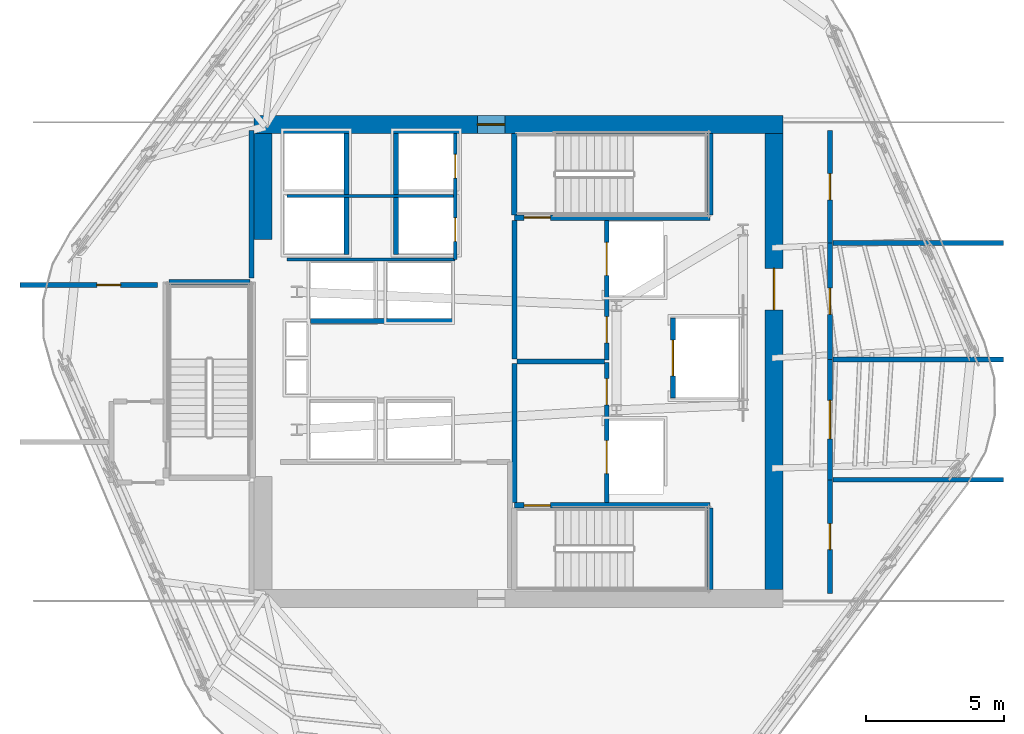
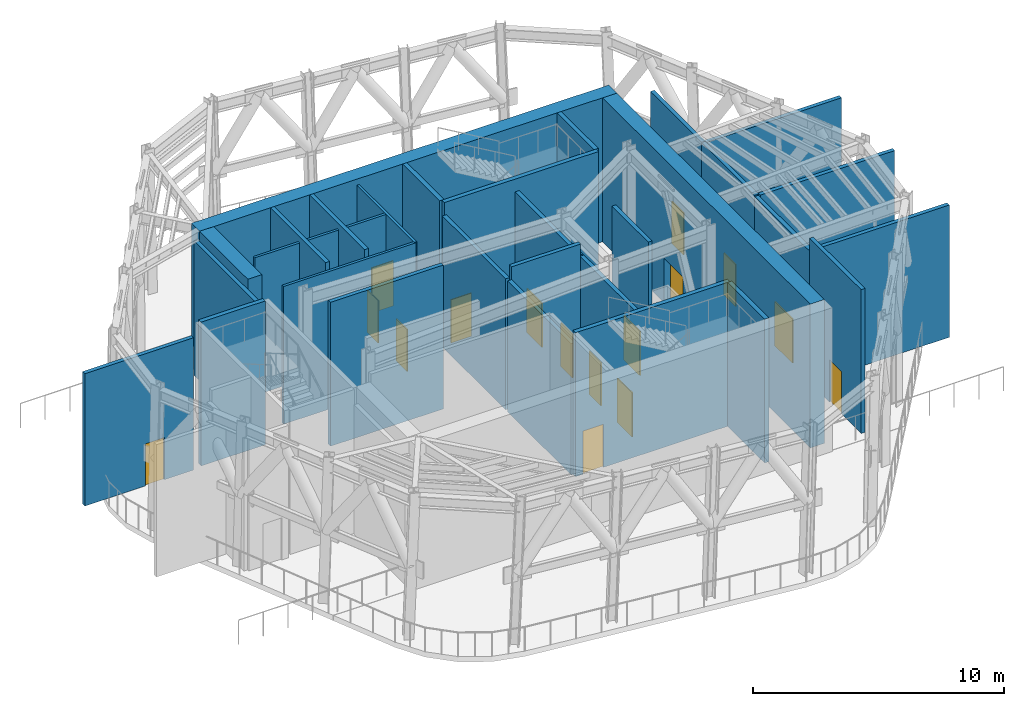
# One storey, part 5 of 10: 30 walls, 16 doors, 16 openings.
"""IFC4 building model written with IfcOpenShell, lengths in metres."""

from ifc_helpers import new_model, si_unit, direction, frame, frame_2d, origin, place, context, subcontext, project, spatial, rectangle, extrude, material, layer, layer_set, type_object, element, fill, save


model = new_model("IFC4")

# Units and contexts
model_context = context("Model", 3, precision=1e-05, world=origin(), true_north=direction((0.0, 1.0)))
body_context = subcontext(model_context, "Body", "Model", "MODEL_VIEW")
ifc_project = project(units=[si_unit("LENGTHUNIT", "METRE"), si_unit("AREAUNIT", "SQUARE_METRE"), si_unit("VOLUMEUNIT", "CUBIC_METRE"), si_unit("PLANEANGLEUNIT", "RADIAN"), si_unit("MASSUNIT", "GRAM", prefix="KILO")], contexts=[model_context])

# Site, building, storey
site_placement = place(None, origin())
site = spatial("IfcSite", under=ifc_project, at=site_placement, CompositionType="ELEMENT")
building_placement = place(site_placement, origin())
building = spatial("IfcBuilding", under=site, at=building_placement, Name="Valkerne Bourse Tower", CompositionType="ELEMENT")
storey_placement = place(building_placement, frame((0.0, 0.0, 251.199951171875)))
storey = spatial("IfcBuildingStorey", under=building, at=storey_placement, Name="L64", CompositionType="ELEMENT", Elevation=251.199951171875)

# Wall, opening, door
ifc_material_1 = material(Name="Concrete C55/67", Category="concrete")
ifc_layer_1 = layer(ifc_material_1, 0.64990234375)
ifc_layer_set_1 = layer_set([ifc_layer_1], Name="Concrete C55/67")
wall_type_1 = type_object("IfcWallType", Name="W-CORE-650", PredefinedType="SHEAR", material=ifc_layer_set_1)
wall_1_placement = place(storey_placement, frame((37.199951171875, 35.47509765625, 0.0), z_axis=(0.0, 0.0, 1.0), x_axis=(1.0, 0.0, 0.0)))
wall_1 = element("IfcWall", 1, at=wall_1_placement, inside=storey, type_object=wall_type_1, Name="L64 Core Shear Wall NORTH", PredefinedType="SHEAR", context=body_context, shape_type="SweptSolid", body=[
    extrude(rectangle(XDim=19.199951171875, YDim=0.64990234375, at=frame_2d((9.60009765625, 0.0))), origin(), (0.0, 0.0, 1.0), 7.0),
])
opening_1_placement = place(wall_1_placement, frame((8.10009765625, 0.0, 0.0)))
opening_1 = element("IfcOpeningElement", 2, at=opening_1_placement, cuts=wall_1, Name="Opening DT-1000", PredefinedType="OPENING", context=body_context, shape_type="SweptSolid", body=[
    extrude(rectangle(XDim=1.0, YDim=2.199951171875, at=frame_2d((0.5, 1.10009765625))), frame((0.0, 0.3349609375, 0.0), z_axis=(0.0, -1.0, 0.0), x_axis=(1.0, 0.0, 0.0)), (0.0, 0.0, 1.0), 0.669921875),
])
ifc_material_2 = material(Name="Glass IGU Low-E Double Glazed", Category="glass")
door_type_1 = type_object("IfcDoorType", Name="DR-EXT-TER-1000", OperationType="NOTDEFINED", PredefinedType="DOOR", material=ifc_material_2)
door_1_placement = place(opening_1_placement, origin())
door_1 = element("IfcDoor", 3, at=door_1_placement, inside=storey, type_object=door_type_1, Name="L64 Wind Portal Refuge Deck Door NORTH", OperationType="SINGLE_SWING_LEFT", OverallHeight=2.199951171875, OverallWidth=1.0, PredefinedType="DOOR", context=body_context, shape_type="SweptSolid", body=[
    extrude(rectangle(XDim=1.0, YDim=2.199951171875, at=frame_2d((0.5, 1.10009765625))), frame((0.0, 0.02490234375, 0.0), z_axis=(0.0, -1.0, 0.0), x_axis=(1.0, 0.0, 0.0)), (0.0, 0.0, 1.0), 0.050048828125),
])
fill(opening_1, door_1)

wall_2_placement = place(storey_placement, frame((56.074951171875, 18.60009765625, 0.0), z_axis=(0.0, 0.0, 1.0), x_axis=(0.0, 1.0, 0.0)))
wall_2 = element("IfcWall", 4, at=wall_2_placement, inside=storey, type_object=wall_type_1, Name="L64 Core Shear Wall EAST", PredefinedType="SHEAR", context=body_context, shape_type="SweptSolid", body=[
    extrude(rectangle(XDim=16.5498046875, YDim=0.64990234375, at=frame_2d((8.27490234375, 0.0))), origin(), (0.0, 0.0, 1.0), 7.0),
])
opening_2_placement = place(wall_2_placement, frame((10.14990234375, 0.0, 0.0)))
opening_2 = element("IfcOpeningElement", 5, at=opening_2_placement, cuts=wall_2, Name="Opening D-CR-1500", PredefinedType="OPENING", context=body_context, shape_type="SweptSolid", body=[
    extrude(rectangle(XDim=1.5, YDim=2.14990234375, at=frame_2d((0.75, 1.074951171875))), frame((0.0, 0.3349609375, 0.0), z_axis=(0.0, -1.0, 0.0), x_axis=(1.0, 0.0, 0.0)), (0.0, 0.0, 1.0), 0.669921875),
])
ifc_material_3 = material(Name="Galvanised Painted Steel", Category="steel")
door_type_2 = type_object("IfcDoorType", Name="DR-CORR-1500", OperationType="DOUBLE_DOOR_SINGLE_SWING", PredefinedType="DOOR", material=ifc_material_3)
door_2_placement = place(opening_2_placement, origin())
door_2 = element("IfcDoor", 6, at=door_2_placement, inside=storey, type_object=door_type_2, Name="L64 East Core Service Lobby Fire Door", OperationType="DOUBLE_DOOR_SINGLE_SWING", OverallHeight=2.14990234375, OverallWidth=1.5, PredefinedType="DOOR", context=body_context, shape_type="SweptSolid", body=[
    extrude(rectangle(XDim=1.5, YDim=2.14990234375, at=frame_2d((0.75, 1.074951171875))), frame((0.0, 0.02490234375, 0.0), z_axis=(0.0, -1.0, 0.0), x_axis=(1.0, 0.0, 0.0)), (0.0, 0.0, 1.0), 0.050048828125),
])
fill(opening_2, door_2)

# Wall
wall_3_placement = place(storey_placement, frame((37.52490234375, 31.300048828125, 0.0), z_axis=(0.0, 0.0, 1.0), x_axis=(0.0, 1.0, 0.0)))
element("IfcWall", 7, at=wall_3_placement, inside=storey, type_object=wall_type_1, Name="L64 Core Shear Wall WEST-N", PredefinedType="SHEAR", context=body_context, shape_type="SweptSolid", body=[
    extrude(rectangle(XDim=3.849853515625, YDim=0.64990234375, at=frame_2d((1.9248046875, 0.0))), origin(), (0.0, 0.0, 1.0), 7.0),
])

# Wall, openings, doors
ifc_material_4 = material(Name="Gypsum Board Steel-Stud Partition", Category="steel")
ifc_layer_2 = layer(ifc_material_4, 0.117919921875)
ifc_layer_set_2 = layer_set([ifc_layer_2], Name="Gypsum Board Steel-Stud Partition")
wall_type_2 = type_object("IfcWallType", Name="W-CORR-140", PredefinedType="PARTITIONING", material=ifc_layer_set_2)
wall_4_placement = place(storey_placement, frame((44.5, 30.580078125, 0.0), z_axis=(0.0, 0.0, 1.0), x_axis=(0.0, 1.0, 0.0)))
wall_4 = element("IfcWall", 8, at=wall_4_placement, inside=storey, type_object=wall_type_2, Name="L64 L64 UPS & Damper East Wall", PredefinedType="PARTITIONING", context=body_context, shape_type="SweptSolid", body=[
    extrude(rectangle(XDim=4.56982421875, YDim=0.117919921875, at=frame_2d((2.284912109375, 0.0))), origin(), (0.0, 0.0, 1.0), 6.699951171875),
])
opening_3_placement = place(wall_4_placement, frame((0.64990234375, 0.0, 0.0)))
opening_3 = element("IfcOpeningElement", 9, at=opening_3_placement, cuts=wall_4, Name="Opening D-WC-900", PredefinedType="OPENING", context=body_context, shape_type="SweptSolid", body=[
    extrude(rectangle(XDim=0.860107421875, YDim=2.050048828125, at=frame_2d((0.43017578125, 1.02490234375))), frame((0.0, 0.06884765625, 0.0), z_axis=(0.0, -1.0, 0.0), x_axis=(1.0, 0.0, 0.0)), (0.0, 0.0, 1.0), 0.137939453125),
])
opening_4_placement = place(wall_4_placement, frame((2.949951171875, 0.0, 0.0)))
opening_4 = element("IfcOpeningElement", 10, at=opening_4_placement, cuts=wall_4, Name="Opening D-WC-900", PredefinedType="OPENING", context=body_context, shape_type="SweptSolid", body=[
    extrude(rectangle(XDim=0.860107421875, YDim=2.050048828125, at=frame_2d((0.43017578125, 1.02490234375))), frame((0.0, 0.06884765625, 0.0), z_axis=(0.0, -1.0, 0.0), x_axis=(1.0, 0.0, 0.0)), (0.0, 0.0, 1.0), 0.137939453125),
])
ifc_material_5 = material(Name="Architectural White Oak Timber", Category="wood")
door_type_3 = type_object("IfcDoorType", Name="DR-WC-900", OperationType="NOTDEFINED", PredefinedType="DOOR", material=ifc_material_5)
door_3_placement = place(opening_3_placement, origin())
door_3 = element("IfcDoor", 11, at=door_3_placement, inside=storey, type_object=door_type_3, Name="L64 L64 UPS Plant Door", OperationType="SINGLE_SWING_LEFT", OverallHeight=2.050048828125, OverallWidth=0.860107421875, PredefinedType="DOOR", context=body_context, shape_type="SweptSolid", body=[
    extrude(rectangle(XDim=0.860107421875, YDim=2.050048828125, at=frame_2d((0.43017578125, 1.02490234375))), frame((0.0, 0.02490234375, 0.0), z_axis=(0.0, -1.0, 0.0), x_axis=(1.0, 0.0, 0.0)), (0.0, 0.0, 1.0), 0.050048828125),
])
fill(opening_3, door_3)
door_4_placement = place(opening_4_placement, origin())
door_4 = element("IfcDoor", 12, at=door_4_placement, inside=storey, type_object=door_type_3, Name="L64 L64 Damper Plant Door", OperationType="SINGLE_SWING_LEFT", OverallHeight=2.050048828125, OverallWidth=0.860107421875, PredefinedType="DOOR", context=body_context, shape_type="SweptSolid", body=[
    extrude(rectangle(XDim=0.860107421875, YDim=2.050048828125, at=frame_2d((0.43017578125, 1.02490234375))), frame((0.0, 0.02490234375, 0.0), z_axis=(0.0, -1.0, 0.0), x_axis=(1.0, 0.0, 0.0)), (0.0, 0.0, 1.0), 0.050048828125),
])
fill(opening_4, door_4)

# Walls
for number, where, z_axis, x_axis, name in (
    (13, (38.39990234375, 30.580078125, 0.0), (0.0, 0.0, 1.0), (1.0, 0.0, 0.0), "L64 L64 UPS South Wall"),
    (14, (38.39990234375, 32.8798828125, 0.0), (0.0, 0.0, 1.0), (1.0, 0.0, 0.0), "L64 L64 UPS/Damper Sub-Divider"),
):
    element("IfcWall", number, at=place(storey_placement, frame(where, z_axis=z_axis, x_axis=x_axis)), inside=storey, type_object=wall_type_2, Name=name, PredefinedType="PARTITIONING", context=body_context, shape_type="SweptSolid", body=[
        extrude(rectangle(XDim=6.10009765625, YDim=0.117919921875, at=frame_2d((3.050048828125, 0.0))), origin(), (0.0, 0.0, 1.0), 6.699951171875),
    ])
ifc_material_6 = material(Name="Gypsum Fire-Rated Shaftwall", Category="gypsum")
ifc_layer_3 = layer(ifc_material_6, 0.179931640625)
ifc_layer_set_3 = layer_set([ifc_layer_3], Name="Gypsum Fire-Rated Shaftwall")
wall_type_3 = type_object("IfcWallType", Name="W-FSAE-180", PredefinedType="PARTITIONING", material=ifc_layer_set_3)
wall_5_placement = place(storey_placement, frame((46.739990234375, 26.8798828125, 0.0), z_axis=(0.0, 0.0, 1.0), x_axis=(1.0, 0.0, 0.0)))
element("IfcWall", 15, at=wall_5_placement, inside=storey, type_object=wall_type_3, Name="L64 FSAE-1/2 Lobby Dividing Fire Wall", PredefinedType="PARTITIONING", context=body_context, shape_type="SweptSolid", body=[
    extrude(rectangle(XDim=3.169921875, YDim=0.179931640625, at=frame_2d((1.5849609375, 0.0))), origin(), (0.0, 0.0, 1.0), 7.0),
])
wall_6_placement = place(storey_placement, frame((46.64990234375, 21.75, 0.0), z_axis=(0.0, 0.0, 1.0), x_axis=(0.0, 1.0, 0.0)))
element("IfcWall", 16, at=wall_6_placement, inside=storey, type_object=wall_type_3, Name="L64 FSAE-1 Lobby West Fire Wall", PredefinedType="PARTITIONING", context=body_context, shape_type="SweptSolid", body=[
    extrude(rectangle(XDim=5.050048828125, YDim=0.179931640625, at=frame_2d((2.52490234375, 0.0))), origin(), (0.0, 0.0, 1.0), 6.3779296875),
])
wall_7_placement = place(storey_placement, frame((46.64990234375, 26.9599609375, 0.0), z_axis=(0.0, 0.0, 1.0), x_axis=(0.0, 1.0, 0.0)))
element("IfcWall", 17, at=wall_7_placement, inside=storey, type_object=wall_type_3, Name="L64 FSAE-2 Lobby West Fire Wall", PredefinedType="PARTITIONING", context=body_context, shape_type="SweptSolid", body=[
    extrude(rectangle(XDim=5.0400390625, YDim=0.179931640625, at=frame_2d((2.52001953125, 0.0))), origin(), (0.0, 0.0, 1.0), 6.3779296875),
])

# Wall, openings, doors
wall_8_placement = place(storey_placement, frame((50.0, 21.75, 0.0), z_axis=(0.0, 0.0, 1.0), x_axis=(0.0, 1.0, 0.0)))
wall_8 = element("IfcWall", 18, at=wall_8_placement, inside=storey, type_object=wall_type_3, Name="L64 FSAE-1 Lobby & Shaft Front Wall", PredefinedType="PARTITIONING", context=body_context, shape_type="SweptSolid", body=[
    extrude(rectangle(XDim=5.090087890625, YDim=0.179931640625, at=frame_2d((2.544921875, 0.0))), origin(), (0.0, 0.0, 1.0), 6.3779296875),
])
opening_5_placement = place(wall_8_placement, frame((1.050048828125, 0.0, 0.0)))
opening_5 = element("IfcOpeningElement", 19, at=opening_5_placement, cuts=wall_8, Name="Opening LD-1200", PredefinedType="OPENING", context=body_context, shape_type="SweptSolid", body=[
    extrude(rectangle(XDim=1.199951171875, YDim=2.14990234375, at=frame_2d((0.60009765625, 1.074951171875))), frame((0.0, 0.099853515625, 0.0), z_axis=(0.0, -1.0, 0.0), x_axis=(1.0, 0.0, 0.0)), (0.0, 0.0, 1.0), 0.199951171875),
])
opening_6_placement = place(wall_8_placement, frame((3.550048828125, 0.0, 0.0)))
opening_6 = element("IfcOpeningElement", 20, at=opening_6_placement, cuts=wall_8, Name="Opening D-FS-950", PredefinedType="OPENING", context=body_context, shape_type="SweptSolid", body=[
    extrude(rectangle(XDim=0.949951171875, YDim=2.10009765625, at=frame_2d((0.47509765625, 1.050048828125))), frame((0.0, 0.099853515625, 0.0), z_axis=(0.0, -1.0, 0.0), x_axis=(1.0, 0.0, 0.0)), (0.0, 0.0, 1.0), 0.199951171875),
])
door_type_4 = type_object("IfcDoorType", Name="DR-FSAE-950", OperationType="NOTDEFINED", PredefinedType="DOOR", material=ifc_material_3)
door_5_placement = place(opening_6_placement, origin())
door_5 = element("IfcDoor", 21, at=door_5_placement, inside=storey, type_object=door_type_4, Name="L64 FSAE-1 Lobby Corridor Fire Door", OperationType="SINGLE_SWING_RIGHT", OverallHeight=2.10009765625, OverallWidth=0.949951171875, PredefinedType="DOOR", context=body_context, shape_type="SweptSolid", body=[
    extrude(rectangle(XDim=0.949951171875, YDim=2.10009765625, at=frame_2d((0.47509765625, 1.050048828125))), frame((0.0, 0.02490234375, 0.0), z_axis=(0.0, -1.0, 0.0), x_axis=(1.0, 0.0, 0.0)), (0.0, 0.0, 1.0), 0.050048828125),
])
fill(opening_6, door_5)
ifc_material_7 = material(Name="Stainless Steel AISI 316", Category="steel")
door_type_5 = type_object("IfcDoorType", Name="DR-LIFT-1200", OperationType="DOUBLE_DOOR_SLIDING", PredefinedType="DOOR", material=ifc_material_7)
door_6_placement = place(opening_5_placement, origin())
door_6 = element("IfcDoor", 22, at=door_6_placement, inside=storey, type_object=door_type_5, Name="L64 FSAE-1 Firefighting Lift Landing Door", OperationType="DOUBLE_DOOR_SLIDING", OverallHeight=2.14990234375, OverallWidth=1.199951171875, PredefinedType="DOOR", context=body_context, shape_type="SweptSolid", body=[
    extrude(rectangle(XDim=1.199951171875, YDim=2.14990234375, at=frame_2d((0.60009765625, 1.074951171875))), frame((0.0, 0.02490234375, 0.0), z_axis=(0.0, -1.0, 0.0), x_axis=(1.0, 0.0, 0.0)), (0.0, 0.0, 1.0), 0.050048828125),
])
fill(opening_5, door_6)

wall_9_placement = place(storey_placement, frame((50.0, 26.919921875, 0.0), z_axis=(0.0, 0.0, 1.0), x_axis=(0.0, 1.0, 0.0)))
wall_9 = element("IfcWall", 23, at=wall_9_placement, inside=storey, type_object=wall_type_3, Name="L64 FSAE-2 Lobby & Shaft Front Wall", PredefinedType="PARTITIONING", context=body_context, shape_type="SweptSolid", body=[
    extrude(rectangle(XDim=5.080078125, YDim=0.179931640625, at=frame_2d((2.5400390625, 0.0))), origin(), (0.0, 0.0, 1.0), 6.3779296875),
])
opening_7_placement = place(wall_9_placement, frame((3.080078125, 0.0, 0.0)))
opening_7 = element("IfcOpeningElement", 24, at=opening_7_placement, cuts=wall_9, Name="Opening LD-1200", PredefinedType="OPENING", context=body_context, shape_type="SweptSolid", body=[
    extrude(rectangle(XDim=1.199951171875, YDim=2.14990234375, at=frame_2d((0.60009765625, 1.074951171875))), frame((0.0, 0.099853515625, 0.0), z_axis=(0.0, -1.0, 0.0), x_axis=(1.0, 0.0, 0.0)), (0.0, 0.0, 1.0), 0.199951171875),
])
opening_8_placement = place(wall_9_placement, frame((0.6298828125, 0.0, 0.0)))
opening_8 = element("IfcOpeningElement", 25, at=opening_8_placement, cuts=wall_9, Name="Opening D-FS-950", PredefinedType="OPENING", context=body_context, shape_type="SweptSolid", body=[
    extrude(rectangle(XDim=0.949951171875, YDim=2.10009765625, at=frame_2d((0.47509765625, 1.050048828125))), frame((0.0, 0.099853515625, 0.0), z_axis=(0.0, -1.0, 0.0), x_axis=(1.0, 0.0, 0.0)), (0.0, 0.0, 1.0), 0.199951171875),
])
door_7_placement = place(opening_8_placement, origin())
door_7 = element("IfcDoor", 26, at=door_7_placement, inside=storey, type_object=door_type_4, Name="L64 FSAE-2 Lobby Corridor Fire Door", OperationType="SINGLE_SWING_LEFT", OverallHeight=2.10009765625, OverallWidth=0.949951171875, PredefinedType="DOOR", context=body_context, shape_type="SweptSolid", body=[
    extrude(rectangle(XDim=0.949951171875, YDim=2.10009765625, at=frame_2d((0.47509765625, 1.050048828125))), frame((0.0, 0.02490234375, 0.0), z_axis=(0.0, -1.0, 0.0), x_axis=(1.0, 0.0, 0.0)), (0.0, 0.0, 1.0), 0.050048828125),
])
fill(opening_8, door_7)
door_8_placement = place(opening_7_placement, origin())
door_8 = element("IfcDoor", 27, at=door_8_placement, inside=storey, type_object=door_type_5, Name="L64 FSAE-2 Firefighting Lift Landing Door", OperationType="DOUBLE_DOOR_SLIDING", OverallHeight=2.14990234375, OverallWidth=1.199951171875, PredefinedType="DOOR", context=body_context, shape_type="SweptSolid", body=[
    extrude(rectangle(XDim=1.199951171875, YDim=2.14990234375, at=frame_2d((0.60009765625, 1.074951171875))), frame((0.0, 0.02490234375, 0.0), z_axis=(0.0, -1.0, 0.0), x_axis=(1.0, 0.0, 0.0)), (0.0, 0.0, 1.0), 0.050048828125),
])
fill(opening_7, door_8)

# Wall, opening, door
wall_10_placement = place(storey_placement, frame((28.699951171875, 29.64990234375, 0.0), z_axis=(0.0, 0.0, 1.0), x_axis=(1.0, 0.0, 0.0)))
wall_10 = element("IfcWall", 28, at=wall_10_placement, inside=storey, type_object=wall_type_3, Name="L64 L64 West North Sub-Divider", PredefinedType="PARTITIONING", context=body_context, shape_type="SweptSolid", body=[
    extrude(rectangle(XDim=5.0, YDim=0.179931640625, at=frame_2d((2.5, 0.0))), origin(), (0.0, 0.0, 1.0), 6.436279296875),
])
opening_9_placement = place(wall_10_placement, frame((2.7900390625, 0.0, 0.0)))
opening_9 = element("IfcOpeningElement", 29, at=opening_9_placement, cuts=wall_10, Name="Opening D-WC-900", PredefinedType="OPENING", context=body_context, shape_type="SweptSolid", body=[
    extrude(rectangle(XDim=0.860107421875, YDim=2.050048828125, at=frame_2d((0.43017578125, 1.02490234375))), frame((0.0, 0.099853515625, 0.0), z_axis=(0.0, -1.0, 0.0), x_axis=(1.0, 0.0, 0.0)), (0.0, 0.0, 1.0), 0.199951171875),
])
door_9_placement = place(opening_9_placement, origin())
door_9 = element("IfcDoor", 30, at=door_9_placement, inside=storey, type_object=door_type_3, Name="L64 L64 West North Refuge Door", OperationType="SINGLE_SWING_LEFT", OverallHeight=2.050048828125, OverallWidth=0.860107421875, PredefinedType="DOOR", context=body_context, shape_type="SweptSolid", body=[
    extrude(rectangle(XDim=0.860107421875, YDim=2.050048828125, at=frame_2d((0.43017578125, 1.02490234375))), frame((0.0, 0.02490234375, 0.0), z_axis=(0.0, -1.0, 0.0), x_axis=(1.0, 0.0, 0.0)), (0.0, 0.0, 1.0), 0.050048828125),
])
fill(opening_9, door_9)

# Wall
wall_11_placement = place(storey_placement, frame((37.10009765625, 29.89990234375, 0.0), z_axis=(0.0, 0.0, 1.0), x_axis=(0.0, 1.0, 0.0)))
element("IfcWall", 31, at=wall_11_placement, inside=storey, type_object=wall_type_3, Name="L64 L64 West Refuge NE Wall", PredefinedType="PARTITIONING", context=body_context, shape_type="SweptSolid", body=[
    extrude(rectangle(XDim=5.35009765625, YDim=0.179931640625, at=frame_2d((2.675048828125, 0.0))), origin(), (0.0, 0.0, 1.0), 6.527587890625),
])

# Wall, opening, door
wall_12_placement = place(storey_placement, frame((58.10009765625, 18.449951171875, 0.0), z_axis=(0.0, 0.0, 1.0), x_axis=(0.0, 1.0, 0.0)))
wall_12 = element("IfcWall", 32, at=wall_12_placement, inside=storey, type_object=wall_type_3, Name="L64 L64 E1 Plant Fire Wall", PredefinedType="PARTITIONING", context=body_context, shape_type="SweptSolid", body=[
    extrude(rectangle(XDim=4.130126953125, YDim=0.179931640625, at=frame_2d((2.06494140625, 0.0))), origin(), (0.0, 0.0, 1.0), 7.0),
])
opening_10_placement = place(wall_12_placement, frame((1.590087890625, 0.0, 0.0)))
opening_10 = element("IfcOpeningElement", 33, at=opening_10_placement, cuts=wall_12, Name="Opening D-SV-950", PredefinedType="OPENING", context=body_context, shape_type="SweptSolid", body=[
    extrude(rectangle(XDim=0.949951171875, YDim=2.050048828125, at=frame_2d((0.47509765625, 1.02490234375))), frame((0.0, 0.099853515625, 0.0), z_axis=(0.0, -1.0, 0.0), x_axis=(1.0, 0.0, 0.0)), (0.0, 0.0, 1.0), 0.199951171875),
])
door_type_6 = type_object("IfcDoorType", Name="DR-SRV-950", OperationType="NOTDEFINED", PredefinedType="DOOR", material=ifc_material_3)
door_10_placement = place(opening_10_placement, origin())
door_10 = element("IfcDoor", 34, at=door_10_placement, inside=storey, type_object=door_type_6, Name="L64 L64 E1 Plant Door", OperationType="SINGLE_SWING_RIGHT", OverallHeight=2.050048828125, OverallWidth=0.949951171875, PredefinedType="DOOR", context=body_context, shape_type="SweptSolid", body=[
    extrude(rectangle(XDim=0.949951171875, YDim=2.050048828125, at=frame_2d((0.47509765625, 1.02490234375))), frame((0.0, 0.02490234375, 0.0), z_axis=(0.0, -1.0, 0.0), x_axis=(1.0, 0.0, 0.0)), (0.0, 0.0, 1.0), 0.050048828125),
])
fill(opening_10, door_10)

wall_13_placement = place(storey_placement, frame((58.10009765625, 22.580078125, 0.0), z_axis=(0.0, 0.0, 1.0), x_axis=(0.0, 1.0, 0.0)))
wall_13 = element("IfcWall", 35, at=wall_13_placement, inside=storey, type_object=wall_type_3, Name="L64 L64 East Sky Refuge Fire Wall", PredefinedType="PARTITIONING", context=body_context, shape_type="SweptSolid", body=[
    extrude(rectangle(XDim=4.35986328125, YDim=0.179931640625, at=frame_2d((2.179931640625, 0.0))), origin(), (0.0, 0.0, 1.0), 6.383056640625),
])
opening_11_placement = place(wall_13_placement, frame((1.47998046875, 0.0, 0.0)))
opening_11 = element("IfcOpeningElement", 36, at=opening_11_placement, cuts=wall_13, Name="Opening D-PL-1400", PredefinedType="OPENING", context=body_context, shape_type="SweptSolid", body=[
    extrude(rectangle(XDim=1.39990234375, YDim=2.14990234375, at=frame_2d((0.699951171875, 1.074951171875))), frame((0.0, 0.099853515625, 0.0), z_axis=(0.0, -1.0, 0.0), x_axis=(1.0, 0.0, 0.0)), (0.0, 0.0, 1.0), 0.199951171875),
])
door_type_7 = type_object("IfcDoorType", Name="DR-PLT-1400", OperationType="DOUBLE_DOOR_SINGLE_SWING", PredefinedType="DOOR", material=ifc_material_3)
door_11_placement = place(opening_11_placement, origin())
door_11 = element("IfcDoor", 37, at=door_11_placement, inside=storey, type_object=door_type_7, Name="L64 L64 East Sky Refuge Door", OperationType="DOUBLE_DOOR_SINGLE_SWING", OverallHeight=2.14990234375, OverallWidth=1.39990234375, PredefinedType="DOOR", context=body_context, shape_type="SweptSolid", body=[
    extrude(rectangle(XDim=1.39990234375, YDim=2.14990234375, at=frame_2d((0.699951171875, 1.074951171875))), frame((0.0, 0.02490234375, 0.0), z_axis=(0.0, -1.0, 0.0), x_axis=(1.0, 0.0, 0.0)), (0.0, 0.0, 1.0), 0.050048828125),
])
fill(opening_11, door_11)

wall_14_placement = place(storey_placement, frame((58.10009765625, 26.93994140625, 0.0), z_axis=(0.0, 0.0, 1.0), x_axis=(0.0, 1.0, 0.0)))
wall_14 = element("IfcWall", 38, at=wall_14_placement, inside=storey, type_object=wall_type_3, Name="L64 L64 E2 Plant Fire Wall", PredefinedType="PARTITIONING", context=body_context, shape_type="SweptSolid", body=[
    extrude(rectangle(XDim=4.239990234375, YDim=0.179931640625, at=frame_2d((2.1201171875, 0.0))), origin(), (0.0, 0.0, 1.0), 6.44140625),
])
opening_12_placement = place(wall_14_placement, frame((1.64501953125, 0.0, 0.0)))
opening_12 = element("IfcOpeningElement", 39, at=opening_12_placement, cuts=wall_14, Name="Opening D-SV-950", PredefinedType="OPENING", context=body_context, shape_type="SweptSolid", body=[
    extrude(rectangle(XDim=0.949951171875, YDim=2.050048828125, at=frame_2d((0.47509765625, 1.02490234375))), frame((0.0, 0.099853515625, 0.0), z_axis=(0.0, -1.0, 0.0), x_axis=(1.0, 0.0, 0.0)), (0.0, 0.0, 1.0), 0.199951171875),
])
door_12_placement = place(opening_12_placement, origin())
door_12 = element("IfcDoor", 40, at=door_12_placement, inside=storey, type_object=door_type_6, Name="L64 L64 E2 Plant Door", OperationType="SINGLE_SWING_RIGHT", OverallHeight=2.050048828125, OverallWidth=0.949951171875, PredefinedType="DOOR", context=body_context, shape_type="SweptSolid", body=[
    extrude(rectangle(XDim=0.949951171875, YDim=2.050048828125, at=frame_2d((0.47509765625, 1.02490234375))), frame((0.0, 0.02490234375, 0.0), z_axis=(0.0, -1.0, 0.0), x_axis=(1.0, 0.0, 0.0)), (0.0, 0.0, 1.0), 0.050048828125),
])
fill(opening_12, door_12)

wall_15_placement = place(storey_placement, frame((58.10009765625, 31.179931640625, 0.0), z_axis=(0.0, 0.0, 1.0), x_axis=(0.0, 1.0, 0.0)))
wall_15 = element("IfcWall", 41, at=wall_15_placement, inside=storey, type_object=wall_type_3, Name="L64 L64 E3 Plant Fire Wall", PredefinedType="PARTITIONING", context=body_context, shape_type="SweptSolid", body=[
    extrude(rectangle(XDim=4.070068359375, YDim=0.179931640625, at=frame_2d((2.03515625, 0.0))), origin(), (0.0, 0.0, 1.0), 6.45654296875),
])
opening_13_placement = place(wall_15_placement, frame((1.56005859375, 0.0, 0.0)))
opening_13 = element("IfcOpeningElement", 42, at=opening_13_placement, cuts=wall_15, Name="Opening D-SV-950", PredefinedType="OPENING", context=body_context, shape_type="SweptSolid", body=[
    extrude(rectangle(XDim=0.949951171875, YDim=2.050048828125, at=frame_2d((0.47509765625, 1.02490234375))), frame((0.0, 0.099853515625, 0.0), z_axis=(0.0, -1.0, 0.0), x_axis=(1.0, 0.0, 0.0)), (0.0, 0.0, 1.0), 0.199951171875),
])
door_13_placement = place(opening_13_placement, origin())
door_13 = element("IfcDoor", 43, at=door_13_placement, inside=storey, type_object=door_type_6, Name="L64 L64 E3 Plant Door", OperationType="SINGLE_SWING_RIGHT", OverallHeight=2.050048828125, OverallWidth=0.949951171875, PredefinedType="DOOR", context=body_context, shape_type="SweptSolid", body=[
    extrude(rectangle(XDim=0.949951171875, YDim=2.050048828125, at=frame_2d((0.47509765625, 1.02490234375))), frame((0.0, 0.02490234375, 0.0), z_axis=(0.0, -1.0, 0.0), x_axis=(1.0, 0.0, 0.0)), (0.0, 0.0, 1.0), 0.050048828125),
])
fill(opening_13, door_13)

# Walls
for number, where, z_axis, x_axis, name in (
    (44, (58.219970703125, 22.580078125, 0.0), (0.0, 0.0, 1.0), (1.0, 0.0, 0.0), "L64 L64 E1 Sub-Divider"),
    (45, (58.219970703125, 26.93994140625, 0.0), (0.0, 0.0, 1.0), (1.0, 0.0, 0.0), "L64 L64 E2 Sub-Divider"),
    (46, (58.219970703125, 31.179931640625, 0.0), (0.0, 0.0, 1.0), (1.0, 0.0, 0.0), "L64 L64 E3 Sub-Divider"),
):
    element("IfcWall", number, at=place(storey_placement, frame(where, z_axis=z_axis, x_axis=x_axis)), inside=storey, type_object=wall_type_3, Name=name, PredefinedType="PARTITIONING", context=body_context, shape_type="SweptSolid", body=[
        extrude(rectangle(XDim=6.179931640625, YDim=0.179931640625, at=frame_2d((3.08984375, 0.0))), origin(), (0.0, 0.0, 1.0), 6.436279296875),
    ])

# Wall, opening, door
ifc_material_8 = material(Name="CMU Blockwork Masonry 200mm", Category="masonry")
ifc_layer_4 = layer(ifc_material_8, 0.179931640625)
ifc_layer_set_4 = layer_set([ifc_layer_4], Name="CMU Blockwork Masonry 200mm")
wall_type_4 = type_object("IfcWallType", Name="W-LFT-180", PredefinedType="SOLIDWALL", material=ifc_layer_set_4)
wall_16_placement = place(storey_placement, frame((52.39990234375, 25.550048828125, 0.0), z_axis=(0.0, 0.0, 1.0), x_axis=(0.0, 1.0, 0.0)))
wall_16 = element("IfcWall", 47, at=wall_16_placement, inside=storey, type_object=wall_type_4, Name="L64 Service Lift SV-1 Front Wall", PredefinedType="SOLIDWALL", context=body_context, shape_type="SweptSolid", body=[
    extrude(rectangle(XDim=2.89990234375, YDim=0.179931640625, at=frame_2d((1.449951171875, 0.0))), origin(), (0.0, 0.0, 1.0), 7.0),
])
opening_14_placement = place(wall_16_placement, frame((0.800048828125, 0.0, 0.0)))
opening_14 = element("IfcOpeningElement", 48, at=opening_14_placement, cuts=wall_16, Name="Opening LD-1300", PredefinedType="OPENING", context=body_context, shape_type="SweptSolid", body=[
    extrude(rectangle(XDim=1.300048828125, YDim=2.14990234375, at=frame_2d((0.64990234375, 1.074951171875))), frame((0.0, 0.099853515625, 0.0), z_axis=(0.0, -1.0, 0.0), x_axis=(1.0, 0.0, 0.0)), (0.0, 0.0, 1.0), 0.199951171875),
])
door_type_8 = type_object("IfcDoorType", Name="DR-LIFT-1300", OperationType="DOUBLE_DOOR_SLIDING", PredefinedType="DOOR", material=ifc_material_7)
door_14_placement = place(opening_14_placement, origin())
door_14 = element("IfcDoor", 49, at=door_14_placement, inside=storey, type_object=door_type_8, Name="L64 Service Lift SV-1 Landing Door", OperationType="DOUBLE_DOOR_SLIDING", OverallHeight=2.14990234375, OverallWidth=1.300048828125, PredefinedType="DOOR", context=body_context, shape_type="SweptSolid", body=[
    extrude(rectangle(XDim=1.300048828125, YDim=2.14990234375, at=frame_2d((0.64990234375, 1.074951171875))), frame((0.0, 0.02490234375, 0.0), z_axis=(0.0, -1.0, 0.0), x_axis=(1.0, 0.0, 0.0)), (0.0, 0.0, 1.0), 0.050048828125),
])
fill(opening_14, door_14)

# Walls
for number, where, z_axis, x_axis, name in (
    (50, (40.550048828125, 30.75, 0.0), (0.0, 0.0, 1.0), (0.0, 1.0, 0.0), "L64 Mid-Zone West Cars Front Wall"),
    (51, (42.35009765625, 30.75, 0.0), (0.0, 0.0, 1.0), (0.0, 1.0, 0.0), "L64 Mid-Zone East Cars Front Wall"),
):
    element("IfcWall", number, at=place(storey_placement, frame(where, z_axis=z_axis, x_axis=x_axis)), inside=storey, type_object=wall_type_4, Name=name, PredefinedType="SOLIDWALL", context=body_context, shape_type="SweptSolid", body=[
        extrude(rectangle(XDim=4.39990234375, YDim=0.179931640625, at=frame_2d((2.199951171875, 0.0))), origin(), (0.0, 0.0, 1.0), 7.0),
    ])
wall_17_placement = place(storey_placement, frame((39.25, 28.35009765625, 0.0), z_axis=(0.0, 0.0, 1.0), x_axis=(1.0, 0.0, 0.0)))
element("IfcWall", 52, at=wall_17_placement, inside=storey, type_object=wall_type_4, Name="L64 High-Zone North Cars Front Wall", PredefinedType="SOLIDWALL", context=body_context, shape_type="SweptSolid", body=[
    extrude(rectangle(XDim=5.199951171875, YDim=0.179931640625, at=frame_2d((2.60009765625, 0.0))), origin(), (0.0, 0.0, 1.0), 7.0),
])

# Wall, opening, door
ifc_material_9 = material(Name="Concrete C40/50", Category="concrete")
ifc_layer_5 = layer(ifc_material_9, 0.199951171875)
ifc_layer_set_5 = layer_set([ifc_layer_5], Name="Concrete C40/50")
wall_type_5 = type_object("IfcWallType", Name="W-SHF-200", PredefinedType="SHEAR", material=ifc_layer_set_5)
wall_18_placement = place(storey_placement, frame((46.64990234375, 21.64990234375, 0.0), z_axis=(0.0, 0.0, 1.0), x_axis=(1.0, 0.0, 0.0)))
wall_18 = element("IfcWall", 53, at=wall_18_placement, inside=storey, type_object=wall_type_5, Name="L64 Exit Stair ST-1 Structural Shaft Wall North", PredefinedType="SHEAR", context=body_context, shape_type="SweptSolid", body=[
    extrude(rectangle(XDim=7.10009765625, YDim=0.199951171875, at=frame_2d((3.550048828125, 0.0))), origin(), (0.0, 0.0, 1.0), 7.0),
])
opening_15_placement = place(wall_18_placement, frame((0.35009765625, 0.0, 0.0)))
opening_15 = element("IfcOpeningElement", 54, at=opening_15_placement, cuts=wall_18, Name="Opening D-ST-950", PredefinedType="OPENING", context=body_context, shape_type="SweptSolid", body=[
    extrude(rectangle(XDim=0.949951171875, YDim=2.10009765625, at=frame_2d((0.47509765625, 1.050048828125))), frame((0.0, 0.10986328125, 0.0), z_axis=(0.0, -1.0, 0.0), x_axis=(1.0, 0.0, 0.0)), (0.0, 0.0, 1.0), 0.219970703125),
])
door_type_9 = type_object("IfcDoorType", Name="DR-STAIR-950", OperationType="NOTDEFINED", PredefinedType="DOOR", material=ifc_material_3)
door_15_placement = place(opening_15_placement, origin())
door_15 = element("IfcDoor", 55, at=door_15_placement, inside=storey, type_object=door_type_9, Name="L64 Exit Stair ST-1 Door", OperationType="SINGLE_SWING_RIGHT", OverallHeight=2.10009765625, OverallWidth=0.949951171875, PredefinedType="DOOR", context=body_context, shape_type="SweptSolid", body=[
    extrude(rectangle(XDim=0.949951171875, YDim=2.10009765625, at=frame_2d((0.47509765625, 1.050048828125))), frame((0.0, 0.02490234375, 0.0), z_axis=(0.0, -1.0, 0.0), x_axis=(1.0, 0.0, 0.0)), (0.0, 0.0, 1.0), 0.050048828125),
])
fill(opening_15, door_15)

# Wall
wall_19_placement = place(storey_placement, frame((53.75, 18.60009765625, 0.0), z_axis=(0.0, 0.0, 1.0), x_axis=(0.0, 1.0, 0.0)))
element("IfcWall", 56, at=wall_19_placement, inside=storey, type_object=wall_type_5, Name="L64 Exit Stair ST-1 Structural Shaft Wall East", PredefinedType="SHEAR", context=body_context, shape_type="SweptSolid", body=[
    extrude(rectangle(XDim=2.949951171875, YDim=0.199951171875, at=frame_2d((1.47509765625, 0.0))), origin(), (0.0, 0.0, 1.0), 7.0),
])

# Wall, opening, door
wall_20_placement = place(storey_placement, frame((46.64990234375, 32.10009765625, 0.0), z_axis=(0.0, 0.0, 1.0), x_axis=(1.0, 0.0, 0.0)))
wall_20 = element("IfcWall", 57, at=wall_20_placement, inside=storey, type_object=wall_type_5, Name="L64 Exit Stair ST-2 Structural Shaft Wall South", PredefinedType="SHEAR", context=body_context, shape_type="SweptSolid", body=[
    extrude(rectangle(XDim=7.10009765625, YDim=0.199951171875, at=frame_2d((3.550048828125, 0.0))), origin(), (0.0, 0.0, 1.0), 7.0),
])
opening_16_placement = place(wall_20_placement, frame((0.35009765625, 0.0, 0.0)))
opening_16 = element("IfcOpeningElement", 58, at=opening_16_placement, cuts=wall_20, Name="Opening D-ST-950", PredefinedType="OPENING", context=body_context, shape_type="SweptSolid", body=[
    extrude(rectangle(XDim=0.949951171875, YDim=2.10009765625, at=frame_2d((0.47509765625, 1.050048828125))), frame((0.0, 0.10986328125, 0.0), z_axis=(0.0, -1.0, 0.0), x_axis=(1.0, 0.0, 0.0)), (0.0, 0.0, 1.0), 0.219970703125),
])
door_16_placement = place(opening_16_placement, origin())
door_16 = element("IfcDoor", 59, at=door_16_placement, inside=storey, type_object=door_type_9, Name="L64 Exit Stair ST-2 Door", OperationType="SINGLE_SWING_RIGHT", OverallHeight=2.10009765625, OverallWidth=0.949951171875, PredefinedType="DOOR", context=body_context, shape_type="SweptSolid", body=[
    extrude(rectangle(XDim=0.949951171875, YDim=2.10009765625, at=frame_2d((0.47509765625, 1.050048828125))), frame((0.0, 0.02490234375, 0.0), z_axis=(0.0, -1.0, 0.0), x_axis=(1.0, 0.0, 0.0)), (0.0, 0.0, 1.0), 0.050048828125),
])
fill(opening_16, door_16)

# Walls
for number, where, z_axis, x_axis, name in (
    (60, (46.64990234375, 32.199951171875, 0.0), (0.0, 0.0, 1.0), (0.0, 1.0, 0.0), "L64 Exit Stair ST-2 Structural Shaft Wall West"),
    (61, (53.75, 32.199951171875, 0.0), (0.0, 0.0, 1.0), (0.0, 1.0, 0.0), "L64 Exit Stair ST-2 Structural Shaft Wall East"),
    (62, (34.10009765625, 29.75, 0.0), (0.0, 0.0, 1.0), (1.0, 0.0, 0.0), "L64 Exit Stair ST-3 Structural Shaft Wall North"),
):
    element("IfcWall", number, at=place(storey_placement, frame(where, z_axis=z_axis, x_axis=x_axis)), inside=storey, type_object=wall_type_5, Name=name, PredefinedType="SHEAR", context=body_context, shape_type="SweptSolid", body=[
        extrude(rectangle(XDim=2.949951171875, YDim=0.199951171875, at=frame_2d((1.47509765625, 0.0))), origin(), (0.0, 0.0, 1.0), 7.0),
    ])

save(model, "model.ifc")
